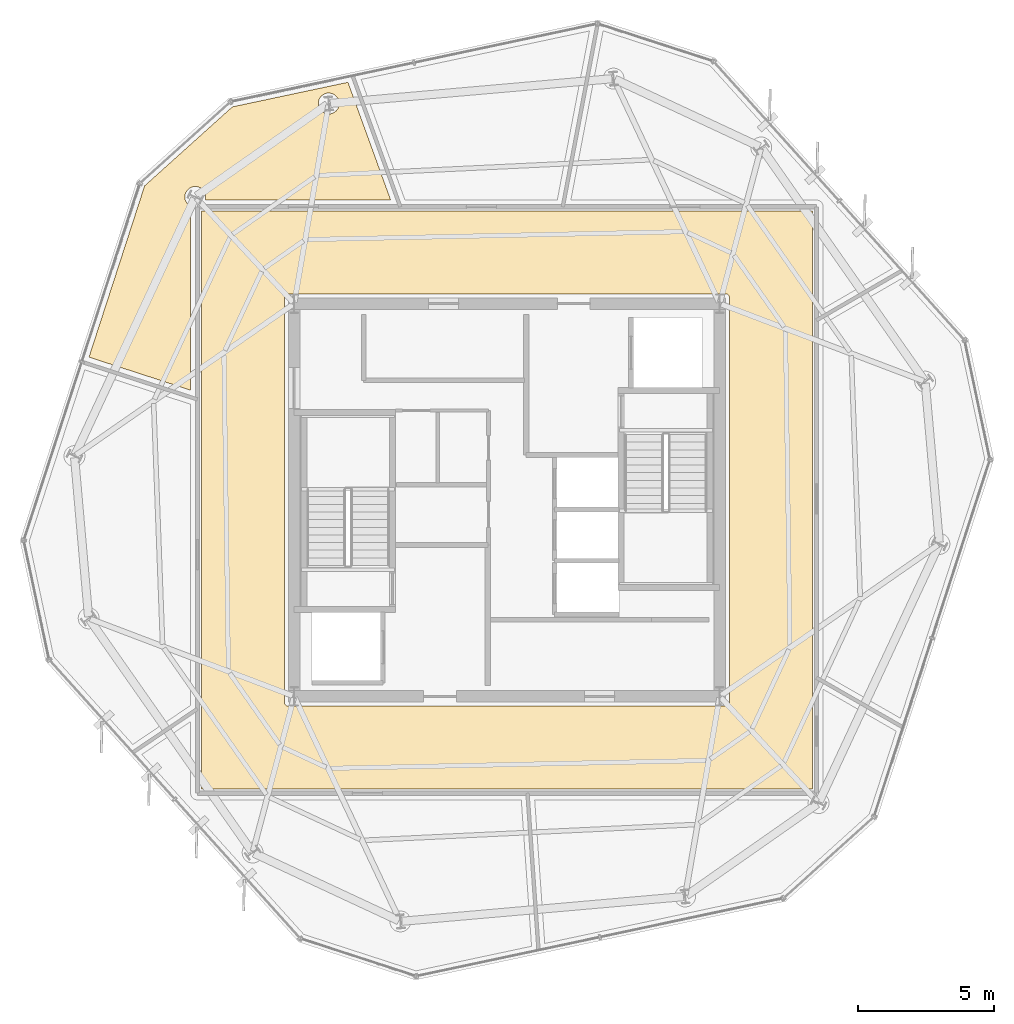
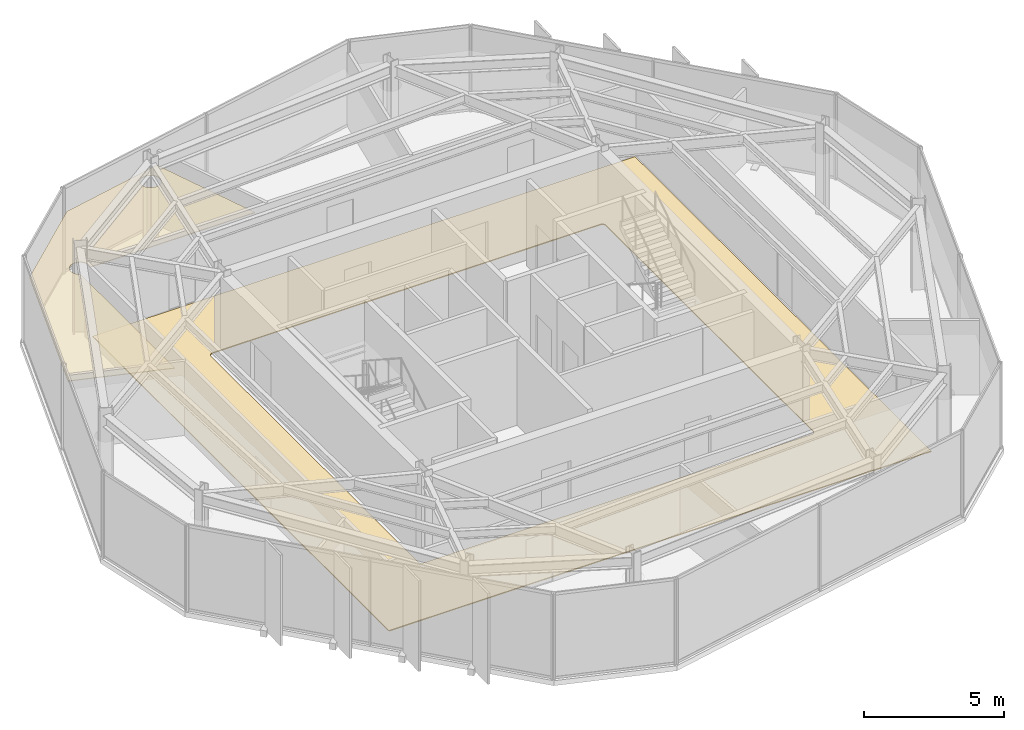
# One storey, part 12 of 13: 2 coverings.
"""IFC4 building model written with IfcOpenShell, lengths in metres."""

from ifc_helpers import new_model, si_unit, direction, frame, origin, place, context, subcontext, project, spatial, polyline, outline, extrude, material, layer, layer_set, type_object, element, save


model = new_model("IFC4")

# Units and contexts
model_context = context("Model", 3, precision=1e-05, world=origin(), true_north=direction((0.0, 1.0)))
body_context = subcontext(model_context, "Body", "Model", "MODEL_VIEW")
ifc_project = project(units=[si_unit("LENGTHUNIT", "METRE"), si_unit("AREAUNIT", "SQUARE_METRE"), si_unit("VOLUMEUNIT", "CUBIC_METRE"), si_unit("PLANEANGLEUNIT", "RADIAN"), si_unit("MASSUNIT", "GRAM", prefix="KILO")], contexts=[model_context])

# Site, building, storey
site_placement = place(None, origin())
site = spatial("IfcSite", under=ifc_project, at=site_placement, CompositionType="ELEMENT")
building_placement = place(site_placement, origin())
building = spatial("IfcBuilding", under=site, at=building_placement, Name="Kranzbogen Civic Tower", CompositionType="ELEMENT")
storey_placement = place(building_placement, frame((0.0, 0.0, 314.199951171875)))
storey = spatial("IfcBuildingStorey", under=building, at=storey_placement, Name="L76", CompositionType="ELEMENT", Elevation=314.199951171875)

# Coverings
ifc_material_1 = material(Name="Honed Natural Stone Flooring", Category="masonry")
ifc_layer_1 = layer(ifc_material_1, 0.0400390625, Name="Honed Natural Stone Flooring")
ifc_layer_set_1 = layer_set([ifc_layer_1], Name="Honed Natural Stone Flooring")
covering_type_1 = type_object("IfcCoveringType", Name="Honed Limestone Lobby Flooring 40 mm", PredefinedType="FLOORING", material=ifc_layer_set_1)
covering_1_placement = place(storey_placement, origin())
element("IfcCovering", 1, at=covering_1_placement, inside=storey, type_object=covering_type_1, Name="L76 concourse stone flooring 1", PredefinedType="FLOORING", context=body_context, shape_type="SweptSolid", body=[
    extrude(outline(polyline([(13.800048828125, 35.60009765625), (36.199951171875, 35.60009765625), (36.199951171875, 14.39990234375), (13.800048828125, 14.39990234375), (13.800048828125, 35.60009765625)]), holes=[polyline([(33.010009765625, 32.56005859375), (33.02490234375, 32.55908203125), (33.0390625, 32.556884765625), (33.053955078125, 32.553955078125), (33.06689453125, 32.549072265625), (33.0810546875, 32.5419921875), (33.093017578125, 32.534912109375), (33.10498046875, 32.52587890625), (33.115966796875, 32.51611328125), (33.1259765625, 32.5048828125), (33.135009765625, 32.492919921875), (33.14208984375, 32.48095703125), (33.14892578125, 32.467041015625), (33.154052734375, 32.4541015625), (33.156982421875, 32.43896484375), (33.158935546875, 32.425048828125), (33.159912109375, 32.409912109375), (33.159912109375, 17.590087890625), (33.158935546875, 17.574951171875), (33.156982421875, 17.56103515625), (33.154052734375, 17.5458984375), (33.14892578125, 17.532958984375), (33.14208984375, 17.51904296875), (33.135009765625, 17.507080078125), (33.1259765625, 17.4951171875), (33.115966796875, 17.48388671875), (33.10498046875, 17.47412109375), (33.093017578125, 17.465087890625), (33.0810546875, 17.4580078125), (33.06689453125, 17.450927734375), (33.053955078125, 17.446044921875), (33.0390625, 17.443115234375), (33.02490234375, 17.44091796875), (33.010009765625, 17.43994140625), (16.989990234375, 17.43994140625), (16.97509765625, 17.44091796875), (16.9609375, 17.443115234375), (16.946044921875, 17.446044921875), (16.93310546875, 17.450927734375), (16.9189453125, 17.4580078125), (16.906982421875, 17.465087890625), (16.89501953125, 17.47412109375), (16.884033203125, 17.48388671875), (16.8740234375, 17.4951171875), (16.864990234375, 17.507080078125), (16.85791015625, 17.51904296875), (16.85107421875, 17.532958984375), (16.845947265625, 17.5458984375), (16.843017578125, 17.56103515625), (16.841064453125, 17.574951171875), (16.840087890625, 17.590087890625), (16.840087890625, 32.409912109375), (16.841064453125, 32.425048828125), (16.843017578125, 32.43896484375), (16.845947265625, 32.4541015625), (16.85107421875, 32.467041015625), (16.85791015625, 32.48095703125), (16.864990234375, 32.492919921875), (16.8740234375, 32.5048828125), (16.884033203125, 32.51611328125), (16.89501953125, 32.52587890625), (16.906982421875, 32.534912109375), (16.9189453125, 32.5419921875), (16.93310546875, 32.549072265625), (16.946044921875, 32.553955078125), (16.9609375, 32.556884765625), (16.97509765625, 32.55908203125), (16.989990234375, 32.56005859375), (33.010009765625, 32.56005859375)])]), origin(), (0.0, 0.0, 1.0), 0.0400390625),
])
ifc_material_2 = material(Name="Perforated Acoustic Gypsum Ceiling")
ifc_layer_2 = layer(ifc_material_2, 0.02490234375, Name="Perforated Acoustic Gypsum Ceiling")
ifc_layer_set_2 = layer_set([ifc_layer_2], Name="Perforated Acoustic Gypsum Ceiling")
covering_type_2 = type_object("IfcCoveringType", Name="Perforated Acoustic Mineral Ceiling Tile 25 mm", PredefinedType="CEILING", material=ifc_layer_set_2)
covering_2_placement = place(storey_placement, frame((0.0, 0.0, 2.75)))
element("IfcCovering", 2, at=covering_2_placement, inside=storey, type_object=covering_type_2, Name="L76 Staff Tea Pantry acoustic ceiling", PredefinedType="CEILING", context=body_context, shape_type="SweptSolid", body=[
    extrude(outline(polyline([(14.93310546875, 39.4130859375), (19.169921875, 40.31396484375), (20.739990234375, 35.9951171875), (13.94091796875, 35.9951171875), (13.94189453125, 35.9990234375), (13.950927734375, 36.034912109375), (13.95703125, 36.072021484375), (13.9580078125, 36.110107421875), (13.95703125, 36.14794921875), (13.950927734375, 36.18505859375), (13.94189453125, 36.220947265625), (13.928955078125, 36.257080078125), (13.9130859375, 36.291015625), (13.89404296875, 36.322998046875), (13.87109375, 36.35302734375), (13.845947265625, 36.381103515625), (13.818115234375, 36.406005859375), (13.7880859375, 36.428955078125), (13.756103515625, 36.447998046875), (13.721923828125, 36.464111328125), (13.68603515625, 36.47705078125), (13.64990234375, 36.486083984375), (13.613037109375, 36.491943359375), (13.574951171875, 36.492919921875), (13.537109375, 36.491943359375), (13.5, 36.486083984375), (13.464111328125, 36.47705078125), (13.427978515625, 36.464111328125), (13.39404296875, 36.447998046875), (13.362060546875, 36.428955078125), (13.33203125, 36.406005859375), (13.303955078125, 36.381103515625), (13.279052734375, 36.35302734375), (13.256103515625, 36.322998046875), (13.237060546875, 36.291015625), (13.220947265625, 36.257080078125), (13.2080078125, 36.220947265625), (13.198974609375, 36.18505859375), (13.193115234375, 36.14794921875), (13.19189453125, 36.110107421875), (13.193115234375, 36.072021484375), (13.198974609375, 36.034912109375), (13.2080078125, 35.9990234375), (13.220947265625, 35.962890625), (13.237060546875, 35.928955078125), (13.256103515625, 35.89697265625), (13.279052734375, 35.866943359375), (13.303955078125, 35.839111328125), (13.33203125, 35.81396484375), (13.362060546875, 35.791015625), (13.39404296875, 35.77197265625), (13.406005859375, 35.76611328125), (13.406005859375, 35.764892578125), (13.405029296875, 35.759033203125), (13.405029296875, 35.75), (13.405029296875, 29.02490234375), (9.677001953125, 30.237060546875), (11.718017578125, 36.51904296875), (14.93310546875, 39.4130859375)]), holes=[polyline([(18.821044921875, 39.388916015625), (18.804931640625, 39.35498046875), (18.785888671875, 39.322998046875), (18.762939453125, 39.29296875), (18.738037109375, 39.264892578125), (18.7099609375, 39.239990234375), (18.679931640625, 39.217041015625), (18.64794921875, 39.197998046875), (18.614013671875, 39.181884765625), (18.577880859375, 39.1689453125), (18.5419921875, 39.159912109375), (18.5048828125, 39.154052734375), (18.467041015625, 39.153076171875), (18.428955078125, 39.154052734375), (18.39208984375, 39.159912109375), (18.35595703125, 39.1689453125), (18.320068359375, 39.181884765625), (18.285888671875, 39.197998046875), (18.25390625, 39.217041015625), (18.22412109375, 39.239990234375), (18.196044921875, 39.264892578125), (18.1708984375, 39.29296875), (18.14794921875, 39.322998046875), (18.12890625, 39.35498046875), (18.113037109375, 39.388916015625), (18.10009765625, 39.425048828125), (18.091064453125, 39.4609375), (18.0849609375, 39.498046875), (18.083984375, 39.535888671875), (18.0849609375, 39.573974609375), (18.091064453125, 39.611083984375), (18.10009765625, 39.64697265625), (18.113037109375, 39.68310546875), (18.12890625, 39.717041015625), (18.14794921875, 39.7490234375), (18.1708984375, 39.779052734375), (18.196044921875, 39.806884765625), (18.22412109375, 39.83203125), (18.25390625, 39.85498046875), (18.285888671875, 39.8740234375), (18.320068359375, 39.889892578125), (18.35595703125, 39.903076171875), (18.39208984375, 39.912109375), (18.428955078125, 39.91796875), (18.467041015625, 39.9189453125), (18.5048828125, 39.91796875), (18.5419921875, 39.912109375), (18.577880859375, 39.903076171875), (18.614013671875, 39.889892578125), (18.64794921875, 39.8740234375), (18.679931640625, 39.85498046875), (18.7099609375, 39.83203125), (18.738037109375, 39.806884765625), (18.762939453125, 39.779052734375), (18.785888671875, 39.7490234375), (18.804931640625, 39.717041015625), (18.821044921875, 39.68310546875), (18.833984375, 39.64697265625), (18.843017578125, 39.611083984375), (18.84912109375, 39.573974609375), (18.85009765625, 39.535888671875), (18.84912109375, 39.498046875), (18.843017578125, 39.4609375), (18.833984375, 39.425048828125), (18.821044921875, 39.388916015625)])]), origin(), (0.0, 0.0, 1.0), 0.025146484375),
])

save(model, "model.ifc")
